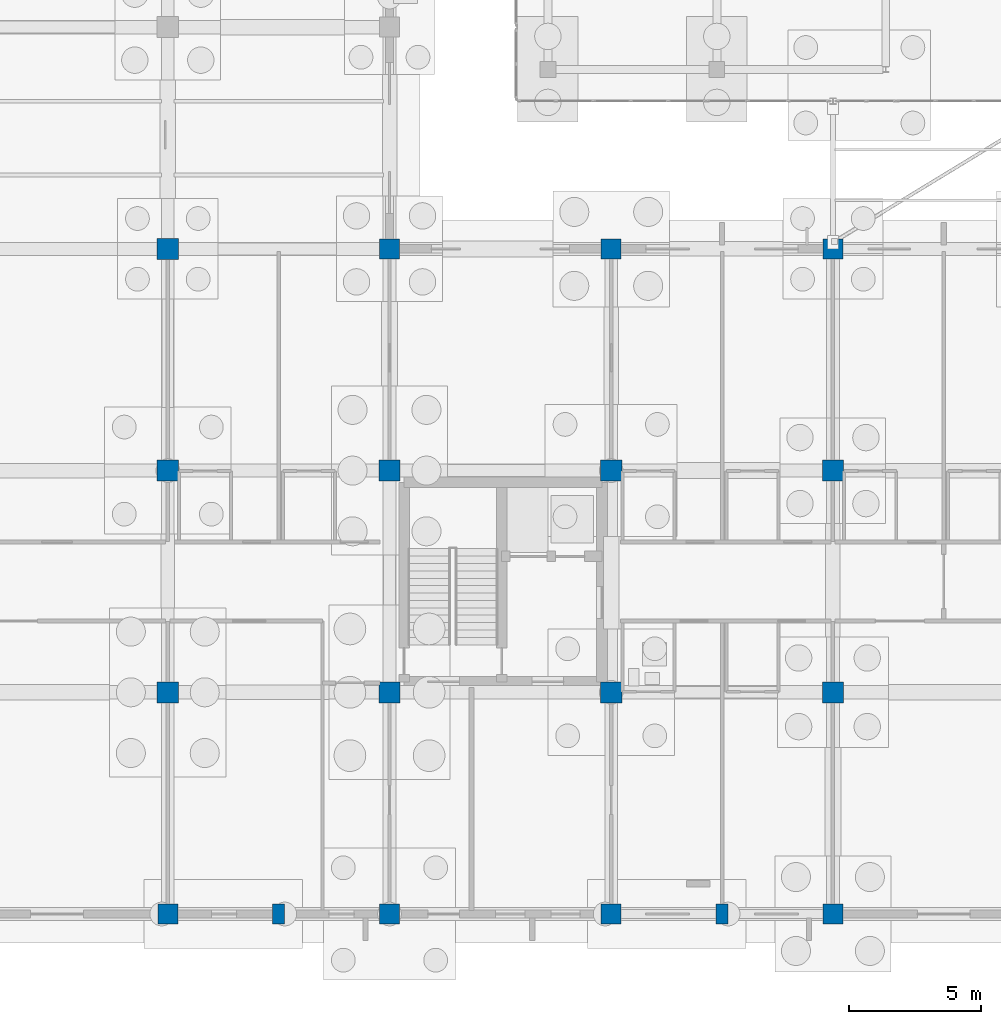
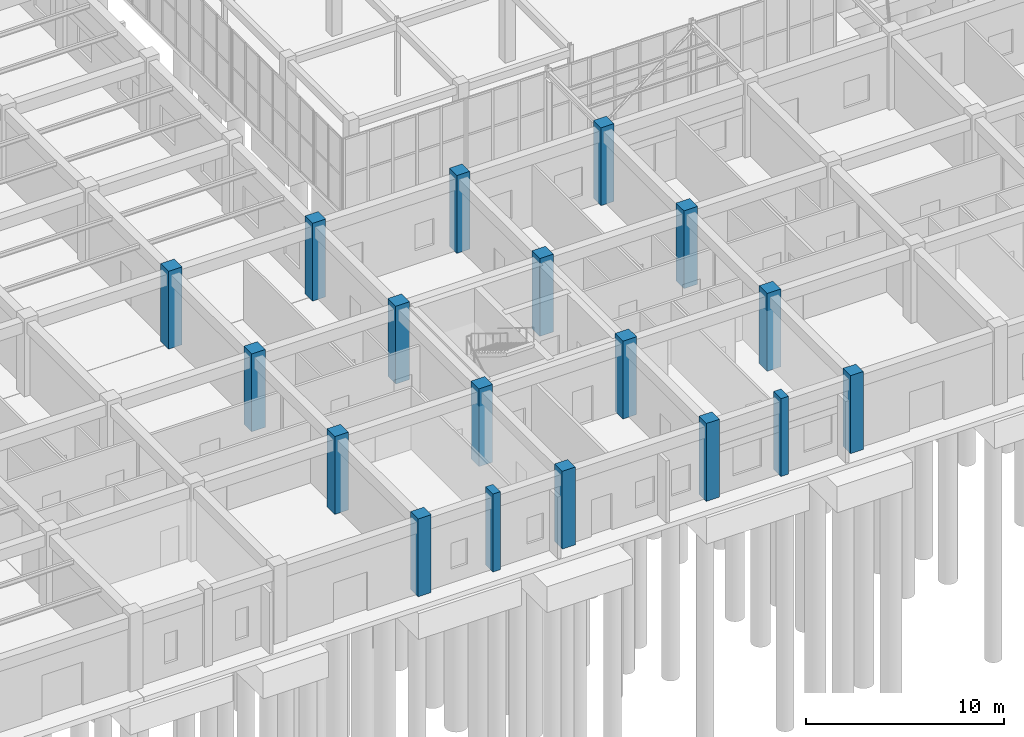
# One storey, part 19 of 192: 18 columns.
"""IFC4 building model written with IfcOpenShell, lengths in metres."""

from ifc_helpers import new_model, si_unit, direction, frame, origin, origin_2d, place, context, subcontext, project, spatial, rectangle, extrude, material, material_profile, profile_set, type_object, element, save


model = new_model("IFC4")

# Units and contexts
model_context = context("Model", 3, precision=1e-05, world=origin(), true_north=direction((0.0, 1.0)))
body_context = subcontext(model_context, "Body", "Model", "MODEL_VIEW")
ifc_project = project(units=[si_unit("LENGTHUNIT", "METRE"), si_unit("AREAUNIT", "SQUARE_METRE"), si_unit("VOLUMEUNIT", "CUBIC_METRE"), si_unit("PLANEANGLEUNIT", "RADIAN"), si_unit("MASSUNIT", "GRAM", prefix="KILO")], contexts=[model_context])

# Site, building, storey
site_placement = place(None, origin())
site = spatial("IfcSite", under=ifc_project, at=site_placement, CompositionType="ELEMENT")
building_placement = place(site_placement, origin())
building = spatial("IfcBuilding", under=site, at=building_placement, Name="Trelvath General Hospital", CompositionType="ELEMENT")
storey_placement = place(building_placement, origin())
storey = spatial("IfcBuildingStorey", under=building, at=storey_placement, Name="L00", CompositionType="ELEMENT", Elevation=0.0)

# Columns
ifc_material_1 = material(Name="Concrete C40/50", Category="concrete")
ifc_material_profile_1 = material_profile(ifc_material_1, rectangle(XDim=0.760009765625, YDim=0.760009765625, at=origin_2d()), Name="RC760x760")
ifc_profile_set_1 = profile_set([ifc_material_profile_1], Name="Concrete C40/50")
column_type_1 = type_object("IfcColumnType", Name="Column RC760", PredefinedType="COLUMN", material=ifc_profile_set_1)
for number, where, z_axis, x_axis, name in (
    (1, (33.60009765625, 0.0, 0.0), (0.0, 0.0, 1.0), (1.0, 0.0, 0.0), "Column C-5A L00"),
    (2, (42.0, 0.0, 0.0), (0.0, 0.0, 1.0), (1.0, 0.0, 0.0), "Column C-6A L00"),
    (3, (42.0, 25.199951171875, 0.0), (0.0, 0.0, 1.0), (1.0, 0.0, 0.0), "Column C-6D L00"),
    (4, (50.39990234375, 0.0, 0.0), (0.0, 0.0, 1.0), (1.0, 0.0, 0.0), "Column C-7A L00"),
    (5, (50.39990234375, 25.199951171875, 0.0), (0.0, 0.0, 1.0), (1.0, 0.0, 0.0), "Column C-7D L00"),
    (6, (58.800048828125, 0.0, 0.0), (0.0, 0.0, 1.0), (1.0, 0.0, 0.0), "Column C-8A L00"),
    (7, (58.800048828125, 25.199951171875, 0.0), (0.0, 0.0, 1.0), (1.0, 0.0, 0.0), "Column C-8D L00"),
):
    element("IfcColumn", number, at=place(storey_placement, frame(where, z_axis=z_axis, x_axis=x_axis)), inside=storey, type_object=column_type_1, Name=name, PredefinedType="COLUMN", context=body_context, shape_type="SweptSolid", body=[
        extrude(rectangle(XDim=0.760009765625, YDim=0.760009765625, at=origin_2d()), origin(), (0.0, 0.0, 1.0), 4.800048828125),
    ])
ifc_material_2 = material(Name="Concrete C40/50", Category="concrete")
ifc_material_profile_2 = material_profile(ifc_material_2, rectangle(XDim=0.800048828125, YDim=0.800048828125, at=origin_2d()), Name="RC800x800")
ifc_profile_set_2 = profile_set([ifc_material_profile_2], Name="Concrete C40/50")
column_type_2 = type_object("IfcColumnType", Name="Column RC800", PredefinedType="COLUMN", material=ifc_profile_set_2)
for number, where, z_axis, x_axis, name in (
    (8, (33.60009765625, 8.39990234375, 0.0), (0.0, 0.0, 1.0), (1.0, 0.0, 0.0), "Column C-5B L00"),
    (9, (33.60009765625, 16.800048828125, 0.0), (0.0, 0.0, 1.0), (1.0, 0.0, 0.0), "Column C-5C L00"),
    (10, (33.60009765625, 25.199951171875, 0.0), (0.0, 0.0, 1.0), (1.0, 0.0, 0.0), "Column C-5D L00"),
    (11, (42.0, 8.39990234375, 0.0), (0.0, 0.0, 1.0), (1.0, 0.0, 0.0), "Column C-6B L00"),
    (12, (42.0, 16.800048828125, 0.0), (0.0, 0.0, 1.0), (1.0, 0.0, 0.0), "Column C-6C L00"),
    (13, (50.39990234375, 8.39990234375, 0.0), (0.0, 0.0, 1.0), (1.0, 0.0, 0.0), "Column C-7B L00"),
    (14, (50.39990234375, 16.800048828125, 0.0), (0.0, 0.0, 1.0), (1.0, 0.0, 0.0), "Column C-7C L00"),
    (15, (58.800048828125, 8.39990234375, 0.0), (0.0, 0.0, 1.0), (1.0, 0.0, 0.0), "Column C-8B L00"),
    (16, (58.800048828125, 16.800048828125, 0.0), (0.0, 0.0, 1.0), (1.0, 0.0, 0.0), "Column C-8C L00"),
):
    element("IfcColumn", number, at=place(storey_placement, frame(where, z_axis=z_axis, x_axis=x_axis)), inside=storey, type_object=column_type_2, Name=name, PredefinedType="COLUMN", context=body_context, shape_type="SweptSolid", body=[
        extrude(rectangle(XDim=0.800048828125, YDim=0.800048828125, at=origin_2d()), origin(), (0.0, 0.0, 1.0), 4.800048828125),
    ])
ifc_material_3 = material(Name="Concrete C40/50", Category="concrete")
ifc_material_profile_3 = material_profile(ifc_material_3, rectangle(XDim=0.449951171875, YDim=0.75, at=origin_2d()), Name="RC450x750")
ifc_profile_set_3 = profile_set([ifc_material_profile_3], Name="Concrete C40/50")
column_type_3 = type_object("IfcColumnType", Name="Pilaster RC450x750", PredefinedType="PILASTER", material=ifc_profile_set_3)
for number, where, z_axis, x_axis, name in (
    (17, (37.800048828125, 0.0, 0.0), (0.0, 0.0, 1.0), (1.0, 0.0, 0.0), "Facade Pilaster PL-S04 L00"),
    (18, (54.60009765625, 0.0, 0.0), (0.0, 0.0, 1.0), (1.0, 0.0, 0.0), "Facade Pilaster PL-S06 L00"),
):
    element("IfcColumn", number, at=place(storey_placement, frame(where, z_axis=z_axis, x_axis=x_axis)), inside=storey, type_object=column_type_3, Name=name, PredefinedType="PILASTER", context=body_context, shape_type="SweptSolid", body=[
        extrude(rectangle(XDim=0.449951171875, YDim=0.75, at=origin_2d()), origin(), (0.0, 0.0, 1.0), 4.800048828125),
    ])

save(model, "model.ifc")
